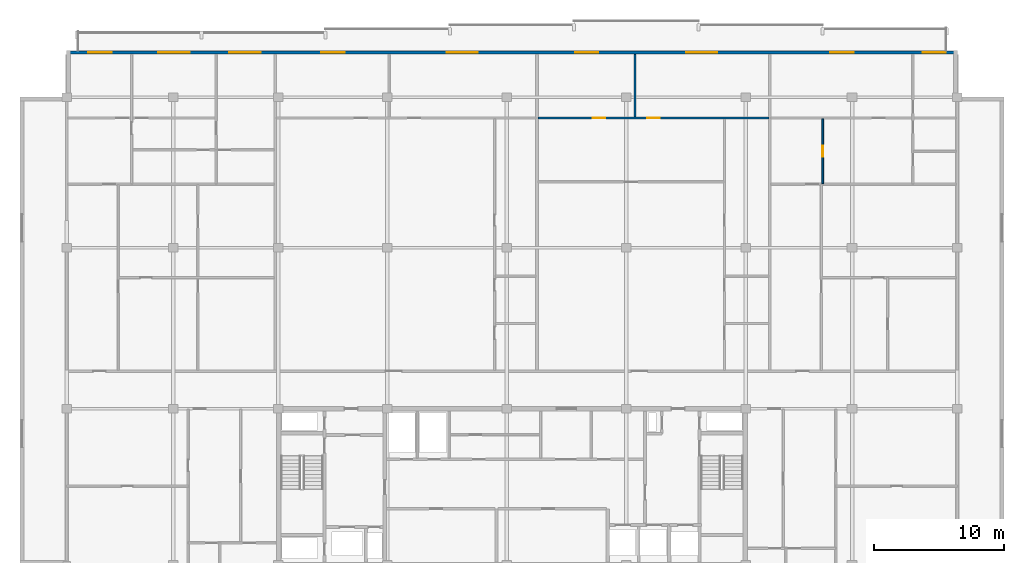
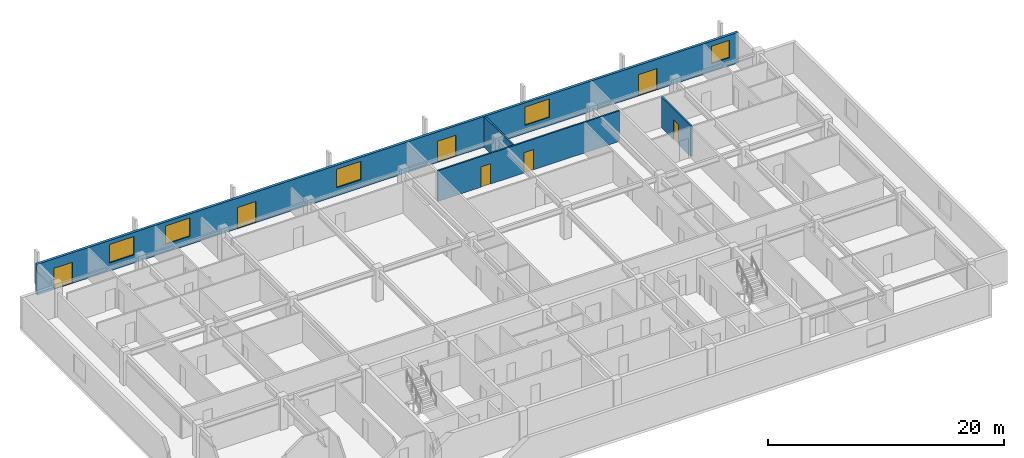
# One storey, part 7 of 10: 7 doors, 5 windows, 4 walls, 12 openings.
"""IFC4 building model written with IfcOpenShell, lengths in metres."""

from ifc_helpers import new_model, si_unit, direction, frame, frame_2d, origin, place, context, subcontext, project, spatial, rectangle, extrude, material, layer, layer_set, type_object, element, fill, save


model = new_model("IFC4")

# Units and contexts
model_context = context("Model", 3, precision=1e-05, world=origin(), true_north=direction((0.0, 1.0)))
body_context = subcontext(model_context, "Body", "Model", "MODEL_VIEW")
ifc_project = project(units=[si_unit("LENGTHUNIT", "METRE"), si_unit("AREAUNIT", "SQUARE_METRE"), si_unit("VOLUMEUNIT", "CUBIC_METRE"), si_unit("PLANEANGLEUNIT", "RADIAN"), si_unit("MASSUNIT", "GRAM", prefix="KILO")], contexts=[model_context])

# Site, building, storey
site_placement = place(None, origin())
site = spatial("IfcSite", under=ifc_project, at=site_placement, CompositionType="ELEMENT")
building_placement = place(site_placement, origin())
building = spatial("IfcBuilding", under=site, at=building_placement, Name="Korimba Cascade Residences", CompositionType="ELEMENT")
storey_placement = place(building_placement, frame((0.0, 0.0, 245.89990234375)))
storey = spatial("IfcBuildingStorey", under=building, at=storey_placement, Name="L71", CompositionType="ELEMENT", Elevation=245.89990234375)

# Wall, openings, doors, windows
ifc_material_1 = material(Name="Precast concrete C40/50", Category="concrete")
ifc_layer_1 = layer(ifc_material_1, 0.25)
ifc_layer_set_1 = layer_set([ifc_layer_1], Name="Precast concrete C40/50")
wall_type_1 = type_object("IfcWallType", Name="EW-LOG-250", PredefinedType="STANDARD", material=ifc_layer_set_1)
wall_1_placement = place(storey_placement, frame((128.39990234375, 94.64990234375, 0.0), z_axis=(0.0, 0.0, 1.0), x_axis=(-1.0, 0.0, 0.0)))
wall_1 = element("IfcWall", 1, at=wall_1_placement, inside=storey, type_object=wall_type_1, Name="L71 T1 Perimeter Stone Wall E06", PredefinedType="STANDARD", context=body_context, shape_type="SweptSolid", body=[
    extrude(rectangle(XDim=68.599853515625, YDim=0.25, at=frame_2d((34.2998046875, 0.0))), origin(), (0.0, 0.0, 1.0), 3.170166015625),
])
opening_1_placement = place(wall_1_placement, frame((59.142822265625, 0.0, 0.85009765625)))
opening_1 = element("IfcOpeningElement", 2, at=opening_1_placement, cuts=wall_1, Name="Opening W-01", PredefinedType="OPENING", context=body_context, shape_type="SweptSolid", body=[
    extrude(rectangle(XDim=2.39990234375, YDim=1.89990234375, at=frame_2d((1.199951171875, 0.949951171875))), frame((0.0, 0.135009765625, 0.0), z_axis=(0.0, -1.0, 0.0), x_axis=(1.0, 0.0, 0.0)), (0.0, 0.0, 1.0), 0.27001953125),
])
opening_2_placement = place(wall_1_placement, frame((65.139892578125, 0.0, 0.0)))
opening_2 = element("IfcOpeningElement", 3, at=opening_2_placement, cuts=wall_1, Name="Opening D-LG1", PredefinedType="OPENING", context=body_context, shape_type="SweptSolid", body=[
    extrude(rectangle(XDim=1.800048828125, YDim=2.199951171875, at=frame_2d((0.89990234375, 1.10009765625))), frame((0.0, 0.135009765625, 0.0), z_axis=(0.0, -1.0, 0.0), x_axis=(1.0, 0.0, 0.0)), (0.0, 0.0, 1.0), 0.27001953125),
])
opening_3_placement = place(wall_1_placement, frame((53.67041015625, 0.0, 0.85009765625)))
opening_3 = element("IfcOpeningElement", 4, at=opening_3_placement, cuts=wall_1, Name="Opening W-01", PredefinedType="OPENING", context=body_context, shape_type="SweptSolid", body=[
    extrude(rectangle(XDim=2.39990234375, YDim=1.89990234375, at=frame_2d((1.199951171875, 0.949951171875))), frame((0.0, 0.135009765625, 0.0), z_axis=(0.0, -1.0, 0.0), x_axis=(1.0, 0.0, 0.0)), (0.0, 0.0, 1.0), 0.27001953125),
])
opening_4_placement = place(wall_1_placement, frame((47.1875, 0.0, 0.0)))
opening_4 = element("IfcOpeningElement", 5, at=opening_4_placement, cuts=wall_1, Name="Opening D-LG1", PredefinedType="OPENING", context=body_context, shape_type="SweptSolid", body=[
    extrude(rectangle(XDim=1.800048828125, YDim=2.199951171875, at=frame_2d((0.89990234375, 1.10009765625))), frame((0.0, 0.135009765625, 0.0), z_axis=(0.0, -1.0, 0.0), x_axis=(1.0, 0.0, 0.0)), (0.0, 0.0, 1.0), 0.27001953125),
])
opening_5_placement = place(wall_1_placement, frame((36.927978515625, 0.0, 0.85009765625)))
opening_5 = element("IfcOpeningElement", 6, at=opening_5_placement, cuts=wall_1, Name="Opening W-01", PredefinedType="OPENING", context=body_context, shape_type="SweptSolid", body=[
    extrude(rectangle(XDim=2.39990234375, YDim=1.89990234375, at=frame_2d((1.199951171875, 0.949951171875))), frame((0.0, 0.135009765625, 0.0), z_axis=(0.0, -1.0, 0.0), x_axis=(1.0, 0.0, 0.0)), (0.0, 0.0, 1.0), 0.27001953125),
])
opening_6_placement = place(wall_1_placement, frame((27.6396484375, 0.0, 0.0)))
opening_6 = element("IfcOpeningElement", 7, at=opening_6_placement, cuts=wall_1, Name="Opening D-LG1", PredefinedType="OPENING", context=body_context, shape_type="SweptSolid", body=[
    extrude(rectangle(XDim=1.800048828125, YDim=2.199951171875, at=frame_2d((0.89990234375, 1.10009765625))), frame((0.0, 0.135009765625, 0.0), z_axis=(0.0, -1.0, 0.0), x_axis=(1.0, 0.0, 0.0)), (0.0, 0.0, 1.0), 0.27001953125),
])
opening_7_placement = place(wall_1_placement, frame((18.4873046875, 0.0, 0.85009765625)))
opening_7 = element("IfcOpeningElement", 8, at=opening_7_placement, cuts=wall_1, Name="Opening W-01", PredefinedType="OPENING", context=body_context, shape_type="SweptSolid", body=[
    extrude(rectangle(XDim=2.39990234375, YDim=1.89990234375, at=frame_2d((1.199951171875, 0.949951171875))), frame((0.0, 0.135009765625, 0.0), z_axis=(0.0, -1.0, 0.0), x_axis=(1.0, 0.0, 0.0)), (0.0, 0.0, 1.0), 0.27001953125),
])
opening_8_placement = place(wall_1_placement, frame((7.965576171875, 0.0, 0.0)))
opening_8 = element("IfcOpeningElement", 9, at=opening_8_placement, cuts=wall_1, Name="Opening D-LG1", PredefinedType="OPENING", context=body_context, shape_type="SweptSolid", body=[
    extrude(rectangle(XDim=1.800048828125, YDim=2.199951171875, at=frame_2d((0.89990234375, 1.10009765625))), frame((0.0, 0.135009765625, 0.0), z_axis=(0.0, -1.0, 0.0), x_axis=(1.0, 0.0, 0.0)), (0.0, 0.0, 1.0), 0.27001953125),
])
opening_9_placement = place(wall_1_placement, frame((0.8701171875, 0.0, 0.85009765625)))
opening_9 = element("IfcOpeningElement", 10, at=opening_9_placement, cuts=wall_1, Name="Opening W-02", PredefinedType="OPENING", context=body_context, shape_type="SweptSolid", body=[
    extrude(rectangle(XDim=1.800048828125, YDim=1.800048828125, at=frame_2d((0.89990234375, 0.89990234375))), frame((0.0, 0.135009765625, 0.0), z_axis=(0.0, -1.0, 0.0), x_axis=(1.0, 0.0, 0.0)), (0.0, 0.0, 1.0), 0.27001953125),
])
ifc_material_2 = material(Name="Glazed Aluminium Loggia Sliding Door", Category="aluminium")
door_type_1 = type_object("IfcDoorType", Name="DR-EXT-LOG", OperationType="NOTDEFINED", PredefinedType="DOOR", material=ifc_material_2)
door_1_placement = place(opening_2_placement, origin())
door_1 = element("IfcDoor", 11, at=door_1_placement, inside=storey, type_object=door_type_1, Name="L71 T1 Loggia Sliding Door 4", OperationType="SLIDING_TO_LEFT", OverallHeight=2.199951171875, OverallWidth=1.800048828125, PredefinedType="DOOR", context=body_context, shape_type="SweptSolid", body=[
    extrude(rectangle(XDim=1.800048828125, YDim=2.199951171875, at=frame_2d((0.89990234375, 1.10009765625))), frame((0.0, 0.02490234375, 0.0), z_axis=(0.0, -1.0, 0.0), x_axis=(1.0, 0.0, 0.0)), (0.0, 0.0, 1.0), 0.050048828125),
])
fill(opening_2, door_1)
door_2_placement = place(opening_4_placement, origin())
door_2 = element("IfcDoor", 12, at=door_2_placement, inside=storey, type_object=door_type_1, Name="L71 T1 Loggia Sliding Door 6", OperationType="SLIDING_TO_LEFT", OverallHeight=2.199951171875, OverallWidth=1.800048828125, PredefinedType="DOOR", context=body_context, shape_type="SweptSolid", body=[
    extrude(rectangle(XDim=1.800048828125, YDim=2.199951171875, at=frame_2d((0.89990234375, 1.10009765625))), frame((0.0, 0.02490234375, 0.0), z_axis=(0.0, -1.0, 0.0), x_axis=(1.0, 0.0, 0.0)), (0.0, 0.0, 1.0), 0.050048828125),
])
fill(opening_4, door_2)
door_3_placement = place(opening_6_placement, origin())
door_3 = element("IfcDoor", 13, at=door_3_placement, inside=storey, type_object=door_type_1, Name="L71 T1 Loggia Sliding Door 8", OperationType="SLIDING_TO_LEFT", OverallHeight=2.199951171875, OverallWidth=1.800048828125, PredefinedType="DOOR", context=body_context, shape_type="SweptSolid", body=[
    extrude(rectangle(XDim=1.800048828125, YDim=2.199951171875, at=frame_2d((0.89990234375, 1.10009765625))), frame((0.0, 0.02490234375, 0.0), z_axis=(0.0, -1.0, 0.0), x_axis=(1.0, 0.0, 0.0)), (0.0, 0.0, 1.0), 0.050048828125),
])
fill(opening_6, door_3)
door_4_placement = place(opening_8_placement, origin())
door_4 = element("IfcDoor", 14, at=door_4_placement, inside=storey, type_object=door_type_1, Name="L71 T1 Loggia Sliding Door 10", OperationType="SLIDING_TO_LEFT", OverallHeight=2.199951171875, OverallWidth=1.800048828125, PredefinedType="DOOR", context=body_context, shape_type="SweptSolid", body=[
    extrude(rectangle(XDim=1.800048828125, YDim=2.199951171875, at=frame_2d((0.89990234375, 1.10009765625))), frame((0.0, 0.02490234375, 0.0), z_axis=(0.0, -1.0, 0.0), x_axis=(1.0, 0.0, 0.0)), (0.0, 0.0, 1.0), 0.050048828125),
])
fill(opening_8, door_4)
ifc_material_3 = material(Name="Double-Glazed Aluminium Window", Category="aluminium")
window_type_1 = type_object("IfcWindowType", Name="WIN-BED-1800", PartitioningType="SINGLE_PANEL", PredefinedType="WINDOW", material=ifc_material_3)
window_1_placement = place(opening_9_placement, origin())
window_1 = element("IfcWindow", 15, at=window_1_placement, inside=storey, type_object=window_type_1, Name="L71 T1 North Facade Window 11", OverallHeight=1.800048828125, OverallWidth=1.800048828125, PartitioningType="SINGLE_PANEL", PredefinedType="WINDOW", context=body_context, shape_type="SweptSolid", body=[
    extrude(rectangle(XDim=1.800048828125, YDim=1.800048828125, at=frame_2d((0.89990234375, 0.89990234375))), frame((0.0, 0.030029296875, 0.0), z_axis=(0.0, -1.0, 0.0), x_axis=(1.0, 0.0, 0.0)), (0.0, 0.0, 1.0), 0.06005859375),
])
fill(opening_9, window_1)
window_type_2 = type_object("IfcWindowType", Name="WIN-RES-2400", PartitioningType="DOUBLE_PANEL_VERTICAL", PredefinedType="WINDOW", material=ifc_material_3)
window_2_placement = place(opening_1_placement, origin())
window_2 = element("IfcWindow", 16, at=window_2_placement, inside=storey, type_object=window_type_2, Name="L71 T1 North Facade Window 3", OverallHeight=1.89990234375, OverallWidth=2.39990234375, PartitioningType="DOUBLE_PANEL_VERTICAL", PredefinedType="WINDOW", context=body_context, shape_type="SweptSolid", body=[
    extrude(rectangle(XDim=2.39990234375, YDim=1.89990234375, at=frame_2d((1.199951171875, 0.949951171875))), frame((0.0, 0.030029296875, 0.0), z_axis=(0.0, -1.0, 0.0), x_axis=(1.0, 0.0, 0.0)), (0.0, 0.0, 1.0), 0.06005859375),
])
fill(opening_1, window_2)
window_3_placement = place(opening_3_placement, origin())
window_3 = element("IfcWindow", 17, at=window_3_placement, inside=storey, type_object=window_type_2, Name="L71 T1 North Facade Window 5", OverallHeight=1.89990234375, OverallWidth=2.39990234375, PartitioningType="DOUBLE_PANEL_VERTICAL", PredefinedType="WINDOW", context=body_context, shape_type="SweptSolid", body=[
    extrude(rectangle(XDim=2.39990234375, YDim=1.89990234375, at=frame_2d((1.199951171875, 0.949951171875))), frame((0.0, 0.030029296875, 0.0), z_axis=(0.0, -1.0, 0.0), x_axis=(1.0, 0.0, 0.0)), (0.0, 0.0, 1.0), 0.06005859375),
])
fill(opening_3, window_3)
window_4_placement = place(opening_5_placement, origin())
window_4 = element("IfcWindow", 18, at=window_4_placement, inside=storey, type_object=window_type_2, Name="L71 T1 North Facade Window 7", OverallHeight=1.89990234375, OverallWidth=2.39990234375, PartitioningType="DOUBLE_PANEL_VERTICAL", PredefinedType="WINDOW", context=body_context, shape_type="SweptSolid", body=[
    extrude(rectangle(XDim=2.39990234375, YDim=1.89990234375, at=frame_2d((1.199951171875, 0.949951171875))), frame((0.0, 0.030029296875, 0.0), z_axis=(0.0, -1.0, 0.0), x_axis=(1.0, 0.0, 0.0)), (0.0, 0.0, 1.0), 0.06005859375),
])
fill(opening_5, window_4)
window_5_placement = place(opening_7_placement, origin())
window_5 = element("IfcWindow", 19, at=window_5_placement, inside=storey, type_object=window_type_2, Name="L71 T1 North Facade Window 9", OverallHeight=1.89990234375, OverallWidth=2.39990234375, PartitioningType="DOUBLE_PANEL_VERTICAL", PredefinedType="WINDOW", context=body_context, shape_type="SweptSolid", body=[
    extrude(rectangle(XDim=2.39990234375, YDim=1.89990234375, at=frame_2d((1.199951171875, 0.949951171875))), frame((0.0, 0.030029296875, 0.0), z_axis=(0.0, -1.0, 0.0), x_axis=(1.0, 0.0, 0.0)), (0.0, 0.0, 1.0), 0.06005859375),
])
fill(opening_7, window_5)

# Wall
ifc_material_4 = material(Name="Insulated Acoustic Stud Partition", Category="gypsum")
ifc_layer_2 = layer(ifc_material_4, 0.14990234375)
ifc_layer_set_2 = layer_set([ifc_layer_2], Name="Insulated Acoustic Stud Partition")
wall_type_2 = type_object("IfcWallType", Name="WAL-PART-150", PredefinedType="PARTITIONING", material=ifc_layer_set_2)
wall_2_placement = place(storey_placement, frame((103.576416015625, 89.679931640625, 0.0), z_axis=(0.0, 0.0, 1.0), x_axis=(0.0, 1.0, 0.0)))
element("IfcWall", 20, at=wall_2_placement, inside=storey, type_object=wall_type_2, Name="L71 Partition Wall WAL-L71-T1-U03-OUTV", PredefinedType="PARTITIONING", context=body_context, shape_type="SweptSolid", body=[
    extrude(rectangle(XDim=4.820068359375, YDim=0.14990234375, at=frame_2d((2.41015625, 0.0))), origin(), (0.0, 0.0, 1.0), 3.170166015625),
])

# Wall, openings, doors
wall_3_placement = place(storey_placement, frame((96.104248046875, 89.60009765625, 0.0), z_axis=(0.0, 0.0, 1.0), x_axis=(1.0, 0.0, 0.0)))
wall_3 = element("IfcWall", 21, at=wall_3_placement, inside=storey, type_object=wall_type_2, Name="L71 Partition Wall WAL-L71-T1-U03-HZ", PredefinedType="PARTITIONING", context=body_context, shape_type="SweptSolid", body=[
    extrude(rectangle(XDim=17.78466796875, YDim=0.14990234375, at=frame_2d((8.892333984375, 0.0))), origin(), (0.0, 0.0, 1.0), 3.170166015625),
])
opening_10_placement = place(wall_3_placement, frame((4.231201171875, 0.0, 0.0)))
opening_10 = element("IfcOpeningElement", 22, at=opening_10_placement, cuts=wall_3, Name="Opening D-IN0", PredefinedType="OPENING", context=body_context, shape_type="SweptSolid", body=[
    extrude(rectangle(XDim=0.93994140625, YDim=2.10009765625, at=frame_2d((0.469970703125, 1.050048828125))), frame((0.0, 0.0849609375, 0.0), z_axis=(0.0, -1.0, 0.0), x_axis=(1.0, 0.0, 0.0)), (0.0, 0.0, 1.0), 0.169921875),
])
opening_11_placement = place(wall_3_placement, frame((8.42236328125, 0.0, 0.0)))
opening_11 = element("IfcOpeningElement", 23, at=opening_11_placement, cuts=wall_3, Name="Opening D-IN0", PredefinedType="OPENING", context=body_context, shape_type="SweptSolid", body=[
    extrude(rectangle(XDim=0.93994140625, YDim=2.10009765625, at=frame_2d((0.469970703125, 1.050048828125))), frame((0.0, 0.0849609375, 0.0), z_axis=(0.0, -1.0, 0.0), x_axis=(1.0, 0.0, 0.0)), (0.0, 0.0, 1.0), 0.169921875),
])
ifc_material_5 = material(Name="Acoustic Timber Living Archway Door", Category="wood")
door_type_2 = type_object("IfcDoorType", Name="DR-INT-950", OperationType="NOTDEFINED", PredefinedType="DOOR", material=ifc_material_5)
door_5_placement = place(opening_10_placement, origin())
door_5 = element("IfcDoor", 24, at=door_5_placement, inside=storey, type_object=door_type_2, Name="L71-T1-U03 Hydrotherapy Wellness Clinic Door", OperationType="SINGLE_SWING_RIGHT", OverallHeight=2.10009765625, OverallWidth=0.93994140625, PredefinedType="DOOR", context=body_context, shape_type="SweptSolid", body=[
    extrude(rectangle(XDim=0.93994140625, YDim=2.10009765625, at=frame_2d((0.469970703125, 1.050048828125))), frame((0.0, 0.02490234375, 0.0), z_axis=(0.0, -1.0, 0.0), x_axis=(1.0, 0.0, 0.0)), (0.0, 0.0, 1.0), 0.050048828125),
])
fill(opening_10, door_5)
door_6_placement = place(opening_11_placement, origin())
door_6 = element("IfcDoor", 25, at=door_6_placement, inside=storey, type_object=door_type_2, Name="L71-T1-U03 Physiotherapy Treatment Room Door", OperationType="SINGLE_SWING_LEFT", OverallHeight=2.10009765625, OverallWidth=0.93994140625, PredefinedType="DOOR", context=body_context, shape_type="SweptSolid", body=[
    extrude(rectangle(XDim=0.93994140625, YDim=2.10009765625, at=frame_2d((0.469970703125, 1.050048828125))), frame((0.0, 0.02490234375, 0.0), z_axis=(0.0, -1.0, 0.0), x_axis=(1.0, 0.0, 0.0)), (0.0, 0.0, 1.0), 0.050048828125),
])
fill(opening_11, door_6)

# Wall, opening, door
wall_4_placement = place(storey_placement, frame((118.038818359375, 84.5400390625, 0.0), z_axis=(0.0, 0.0, 1.0), x_axis=(0.0, 1.0, 0.0)))
wall_4 = element("IfcWall", 26, at=wall_4_placement, inside=storey, type_object=wall_type_2, Name="L71 Partition Wall WAL-L71-T1-U04-VDIN", PredefinedType="PARTITIONING", context=body_context, shape_type="SweptSolid", body=[
    extrude(rectangle(XDim=5.0, YDim=0.14990234375, at=frame_2d((2.5, 0.0))), origin(), (0.0, 0.0, 1.0), 3.170166015625),
])
opening_12_placement = place(wall_4_placement, frame((2.06005859375, 0.0, 0.0)))
opening_12 = element("IfcOpeningElement", 27, at=opening_12_placement, cuts=wall_4, Name="Opening D-IN2", PredefinedType="OPENING", context=body_context, shape_type="SweptSolid", body=[
    extrude(rectangle(XDim=0.8798828125, YDim=2.06005859375, at=frame_2d((0.43994140625, 1.030029296875))), frame((0.0, 0.0849609375, 0.0), z_axis=(0.0, -1.0, 0.0), x_axis=(1.0, 0.0, 0.0)), (0.0, 0.0, 1.0), 0.169921875),
])
ifc_material_6 = material(Name="Acoustic Timber Bedroom Door", Category="wood")
door_type_3 = type_object("IfcDoorType", Name="DR-INT-880", OperationType="NOTDEFINED", PredefinedType="DOOR", material=ifc_material_6)
door_7_placement = place(opening_12_placement, origin())
door_7 = element("IfcDoor", 28, at=door_7_placement, inside=storey, type_object=door_type_3, Name="L71-T1-U04 Dining Room Door", OperationType="SINGLE_SWING_LEFT", OverallHeight=2.06005859375, OverallWidth=0.8798828125, PredefinedType="DOOR", context=body_context, shape_type="SweptSolid", body=[
    extrude(rectangle(XDim=0.8798828125, YDim=2.06005859375, at=frame_2d((0.43994140625, 1.030029296875))), frame((0.0, 0.02490234375, 0.0), z_axis=(0.0, -1.0, 0.0), x_axis=(1.0, 0.0, 0.0)), (0.0, 0.0, 1.0), 0.050048828125),
])
fill(opening_12, door_7)

save(model, "model.ifc")
